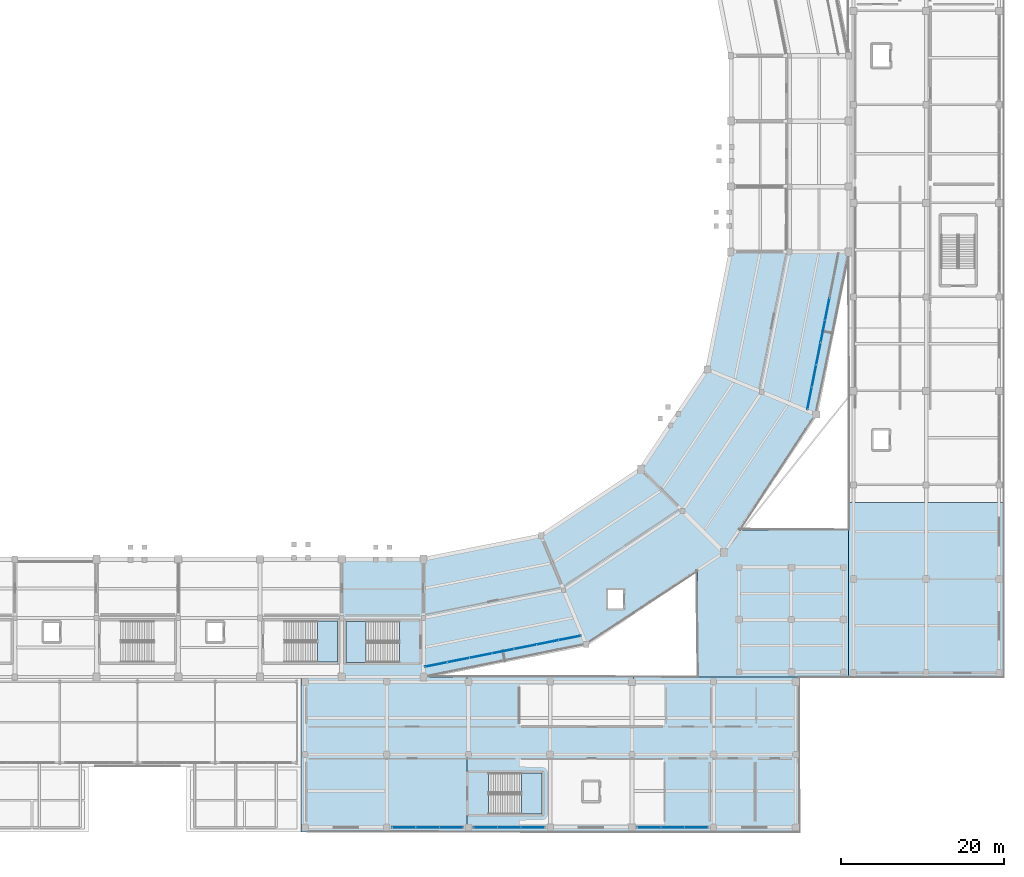
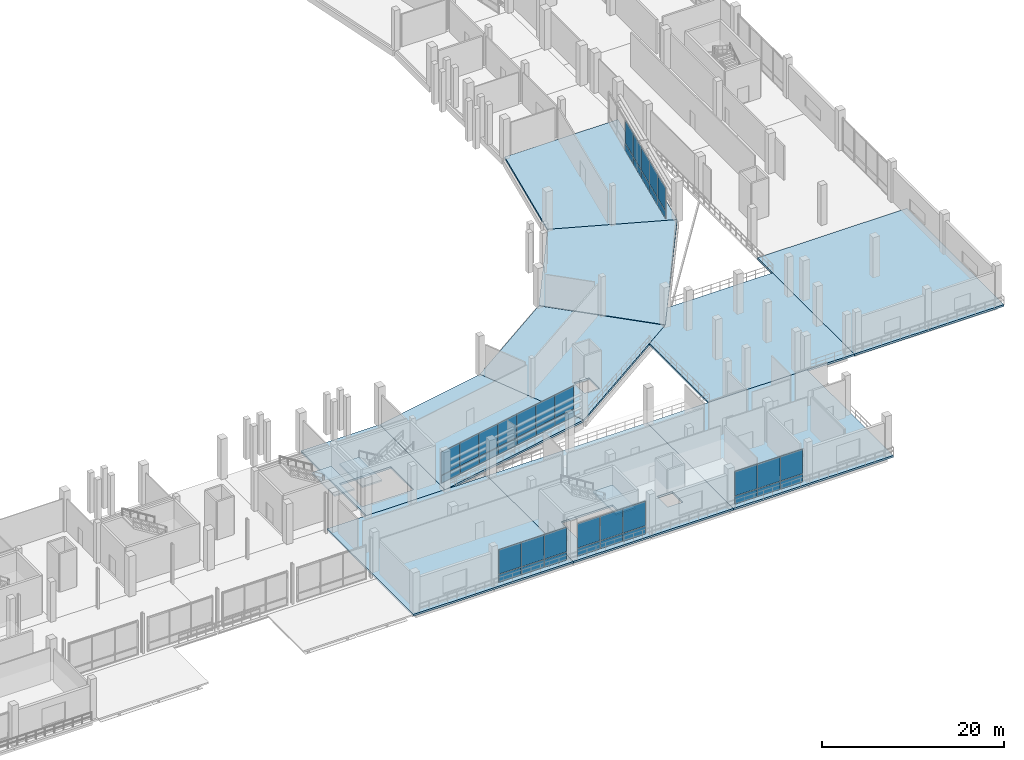
# One storey, part 65 of 114: 42 plates, 13 slabs, 8 elements without a shape of their own.
"""IFC4 building model written with IfcOpenShell, lengths in metres."""

from ifc_helpers import new_model, si_unit, direction, frame, origin, origin_2d, place, context, subcontext, project, spatial, polyline, rectangle, outline, extrude, material, layer, layer_set, type_object, element, aggregate, save


model = new_model("IFC4")

# Units and contexts
model_context = context("Model", 3, precision=1e-05, world=origin(), true_north=direction((0.0, 1.0)))
body_context = subcontext(model_context, "Body", "Model", "MODEL_VIEW")
ifc_project = project(units=[si_unit("LENGTHUNIT", "METRE"), si_unit("AREAUNIT", "SQUARE_METRE"), si_unit("VOLUMEUNIT", "CUBIC_METRE"), si_unit("PLANEANGLEUNIT", "RADIAN"), si_unit("MASSUNIT", "GRAM", prefix="KILO")], contexts=[model_context])

# Site, building, storey
site_placement = place(None, origin())
site = spatial("IfcSite", under=ifc_project, at=site_placement, CompositionType="ELEMENT")
building_placement = place(site_placement, origin())
building = spatial("IfcBuilding", under=site, at=building_placement, Name="Candeia Ridge Stadium", CompositionType="ELEMENT")
storey_placement = place(building_placement, frame((0.0, 0.0, 5.39990234375)))
storey = spatial("IfcBuildingStorey", under=building, at=storey_placement, Name="L01", CompositionType="ELEMENT", Elevation=5.39990234375)

# Slabs
ifc_material_1 = material(Name="Concrete C40/50", Category="concrete")
ifc_layer_1 = layer(ifc_material_1, 0.260009765625, Name="Concrete C40/50", Category="concrete")
ifc_layer_set_1 = layer_set([ifc_layer_1], Name="Concrete C40/50")
slab_type_1 = type_object("IfcSlabType", Name="Concourse Structural Slab 260", PredefinedType="FLOOR", material=ifc_layer_set_1)
slab_1_placement = place(storey_placement, frame((0.0, 0.0, -0.260009765625)))
element("IfcSlab", 1, at=slab_1_placement, inside=storey, type_object=slab_type_1, Name="Bowl concourse sector slab L01 bay 25 SLB-L01-0061", PredefinedType="FLOOR", context=body_context, shape_type="SweptSolid", body=[
    extrude(outline(polyline([(141.0, 33.39990234375), (141.0, 19.0), (131.0, 19.0), (131.0, 33.39990234375), (141.0, 33.39990234375)]), holes=[polyline([(138.04931640625, 25.800048828125), (131.5, 25.800048828125), (131.5, 20.75), (138.04931640625, 20.75), (138.04931640625, 25.800048828125)])]), origin(), (0.0, 0.0, 1.0), 0.260009765625),
])
slab_2_placement = place(storey_placement, frame((0.0, 0.0, -0.260009765625)))
element("IfcSlab", 2, at=slab_2_placement, inside=storey, type_object=slab_type_1, Name="Bowl concourse sector slab L01 bay 26 SLB-L01-0062", PredefinedType="FLOOR", context=body_context, shape_type="SweptSolid", body=[
    extrude(outline(polyline([(155.388916015625, 36.26220703125), (160.8994140625, 22.958251953125), (141.0, 19.0), (141.0, 33.39990234375), (155.388916015625, 36.26220703125)])), origin(), (0.0, 0.0, 1.0), 0.260009765625),
])
slab_3_placement = place(storey_placement, frame((0.0, 0.0, -0.260009765625)))
element("IfcSlab", 3, at=slab_3_placement, inside=storey, type_object=slab_type_1, Name="Bowl concourse sector slab L01 bay 27 SLB-L01-0063", PredefinedType="FLOOR", context=body_context, shape_type="SweptSolid", body=[
    extrude(outline(polyline([(167.553955078125, 44.390625), (177.736328125, 34.208251953125), (160.8994140625, 22.958251953125), (155.388916015625, 36.26220703125), (167.553955078125, 44.390625)]), holes=[polyline([(165.449951171875, 27.35009765625), (165.449951171875, 29.64990234375), (163.550048828125, 29.64990234375), (163.550048828125, 27.35009765625), (165.449951171875, 27.35009765625)])]), origin(), (0.0, 0.0, 1.0), 0.260009765625),
])
slab_4_placement = place(storey_placement, frame((0.0, 0.0, -0.260009765625)))
element("IfcSlab", 4, at=slab_4_placement, inside=storey, type_object=slab_type_1, Name="Bowl concourse sector slab L01 bay 28 SLB-L01-0064", PredefinedType="FLOOR", context=body_context, shape_type="SweptSolid", body=[
    extrude(outline(polyline([(175.73779296875, 56.611083984375), (189.041748046875, 51.1005859375), (177.791748046875, 34.263671875), (167.609375, 44.446044921875), (175.73779296875, 56.611083984375)])), origin(), (0.0, 0.0, 1.0), 0.260009765625),
])
slab_5_placement = place(storey_placement, frame((0.0, 0.0, -0.260009765625)))
element("IfcSlab", 5, at=slab_5_placement, inside=storey, type_object=slab_type_1, Name="Bowl concourse sector slab L01 bay 29 SLB-L01-0065", PredefinedType="FLOOR", context=body_context, shape_type="SweptSolid", body=[
    extrude(outline(polyline([(178.60009765625, 71.0), (193.0, 71.0), (189.041748046875, 51.1005859375), (175.73779296875, 56.611083984375), (178.60009765625, 71.0)])), origin(), (0.0, 0.0, 1.0), 0.260009765625),
])
slab_6_placement = place(storey_placement, frame((0.0, 0.0, -0.260009765625)))
element("IfcSlab", 6, at=slab_6_placement, inside=storey, type_object=slab_type_1, Name="Wing floor slab east SLB-L01-0218", PredefinedType="FLOOR", context=body_context, shape_type="SweptSolid", body=[
    extrude(outline(polyline([(193.0, 19.0), (193.0, 40.333251953125), (212.0, 40.333251953125), (212.0, 19.0), (193.0, 19.0)])), origin(), (0.0, 0.0, 1.0), 0.260009765625),
])

# Stair, slab
stair_type = type_object("IfcStairType", Name="Enclosed Core Half-Turn Stair 2450", PredefinedType="HALF_TURN_STAIR", material=ifc_material_1)
stair_1_placement = place(storey_placement, origin())
stair_1 = element("IfcStair", 7, at=stair_1_placement, inside=storey, type_object=stair_type, Name="L01 Enclosed exit stair ST03", PredefinedType="HALF_TURN_STAIR")
ifc_layer_2 = layer(ifc_material_1, 0.199951171875, Name="Concrete C40/50", Category="concrete")
ifc_layer_set_2 = layer_set([ifc_layer_2], Name="Concrete C40/50")
slab_type_2 = type_object("IfcSlabType", Name="Core Stair Landing Slab 200", PredefinedType="LANDING", material=ifc_layer_set_2)
slab_7_placement = place(storey_placement, frame((0.0, 0.0, 2.5)))
slab_7 = element("IfcSlab", 8, at=slab_7_placement, type_object=slab_type_2, Name="ST03 landing 1", PredefinedType="LANDING", context=body_context, shape_type="SweptSolid", body=[
    extrude(outline(polyline([(133.989990234375, 25.800048828125), (131.5, 25.800048828125), (131.5, 20.75), (133.989990234375, 20.75), (133.989990234375, 25.800048828125)])), origin(), (0.0, 0.0, 1.0), 0.2001953125),
])
aggregate(stair_1, [slab_7])

stair_2_placement = place(storey_placement, origin())
stair_2 = element("IfcStair", 9, at=stair_2_placement, inside=storey, type_object=stair_type, Name="L01 Enclosed exit stair ST12", PredefinedType="HALF_TURN_STAIR")
slab_8_placement = place(storey_placement, frame((0.0, 0.0, 2.5)))
slab_8 = element("IfcSlab", 10, at=slab_8_placement, type_object=slab_type_2, Name="ST12 landing 1", PredefinedType="LANDING", context=body_context, shape_type="SweptSolid", body=[
    extrude(outline(polyline([(128.010009765625, 20.800048828125), (130.5, 20.800048828125), (130.5, 25.85009765625), (128.010009765625, 25.85009765625), (128.010009765625, 20.800048828125)])), origin(), (0.0, 0.0, 1.0), 0.2001953125),
])
aggregate(stair_2, [slab_8])

stair_3_placement = place(storey_placement, origin())
stair_3 = element("IfcStair", 11, at=stair_3_placement, inside=storey, type_object=stair_type, Name="L01 Enclosed exit stair ST14", PredefinedType="HALF_TURN_STAIR")
slab_9_placement = place(storey_placement, frame((0.0, 0.0, 2.5)))
slab_9 = element("IfcSlab", 12, at=slab_9_placement, type_object=slab_type_2, Name="ST14 landing 1", PredefinedType="LANDING", context=body_context, shape_type="SweptSolid", body=[
    extrude(outline(polyline([(153.010009765625, 2.199951171875), (155.5, 2.199951171875), (155.5, 7.25), (153.010009765625, 7.25), (153.010009765625, 2.199951171875)])), origin(), (0.0, 0.0, 1.0), 0.2001953125),
])
aggregate(stair_3, [slab_9])

# Slabs
ifc_layer_3 = layer(ifc_material_1, 0.25, Name="Concrete C40/50", Category="concrete")
ifc_layer_set_3 = layer_set([ifc_layer_3], Name="Concrete C40/50")
slab_type_3 = type_object("IfcSlabType", Name="Hospitality & Museum Slab 250", PredefinedType="FLOOR", material=ifc_layer_set_3)
slab_10_placement = place(storey_placement, frame((0.0, 0.0, -0.25)))
element("IfcSlab", 13, at=slab_10_placement, inside=storey, type_object=slab_type_3, Name="Wing floor slab se_s SLB-L01-0227", PredefinedType="FLOOR", context=body_context, shape_type="SweptSolid", body=[
    extrude(outline(polyline([(126.0, 0.0), (126.0, 19.0), (146.333251953125, 19.0), (146.333251953125, 0.0), (126.0, 0.0)])), origin(), (0.0, 0.0, 1.0), 0.25),
])
slab_11_placement = place(storey_placement, frame((0.0, 0.0, -0.25)))
element("IfcSlab", 14, at=slab_11_placement, inside=storey, type_object=slab_type_3, Name="Wing floor slab se_s SLB-L01-0228", PredefinedType="FLOOR", context=body_context, shape_type="SweptSolid", body=[
    extrude(outline(polyline([(146.333251953125, 0.0), (146.333251953125, 19.0), (166.666748046875, 19.0), (166.666748046875, 0.0), (146.333251953125, 0.0)]), holes=[polyline([(148.95068359375, 2.199951171875), (155.5, 2.199951171875), (155.5, 7.25), (148.95068359375, 7.25), (148.95068359375, 2.199951171875)]), polyline([(162.449951171875, 3.85009765625), (162.449951171875, 6.14990234375), (160.550048828125, 6.14990234375), (160.550048828125, 3.85009765625), (162.449951171875, 3.85009765625)])]), origin(), (0.0, 0.0, 1.0), 0.25),
])
slab_12_placement = place(storey_placement, frame((0.0, 0.0, -0.25)))
element("IfcSlab", 15, at=slab_12_placement, inside=storey, type_object=slab_type_3, Name="Wing floor slab se_s SLB-L01-0229", PredefinedType="FLOOR", context=body_context, shape_type="SweptSolid", body=[
    extrude(outline(polyline([(166.666748046875, 0.0), (166.666748046875, 19.0), (187.0, 19.0), (187.0, 0.0), (166.666748046875, 0.0)])), origin(), (0.0, 0.0, 1.0), 0.25),
])
slab_13_placement = place(storey_placement, frame((0.0, 0.0, -0.25)))
element("IfcSlab", 16, at=slab_13_placement, inside=storey, type_object=slab_type_3, Name="Wing floor slab sp_se SLB-L01-0241", PredefinedType="FLOOR", context=body_context, shape_type="SweptSolid", body=[
    extrude(outline(polyline([(193.0, 19.0), (174.5, 19.0), (174.5, 32.039794921875), (177.772216796875, 34.226318359375), (177.772705078125, 34.2265625), (177.773193359375, 34.226806640625), (177.7734375, 34.227294921875), (177.773681640625, 34.227783203125), (179.626220703125, 37.0), (193.0, 37.0), (193.0, 19.0)])), origin(), (0.0, 0.0, 1.0), 0.25),
])

# Curtain wall, plates
ifc_material_2 = material(Name="Aluminium Anodized Warm Bronze", Category="aluminium")
curtain_wall_type_1 = type_object("IfcCurtainWallType", Name="Concourse Recessed Unitised Curtain Wall", PredefinedType="NOTDEFINED", material=ifc_material_2)
curtain_wall_1_placement = place(storey_placement, origin())
curtain_wall_1 = element("IfcCurtainWall", 17, at=curtain_wall_1_placement, inside=storey, type_object=curtain_wall_type_1, Name="Unitised curtain wall CW-BWL-L01-28", PredefinedType="NOTDEFINED")
ifc_material_3 = material(Name="Aluminium Insulated Spandrel", Category="aluminium")
ifc_layer_4 = layer(ifc_material_3, 0.06494140625, Name="Aluminium Insulated Spandrel", Category="aluminium")
ifc_layer_set_4 = layer_set([ifc_layer_4], Name="Aluminium Insulated Spandrel")
plate_type_1 = type_object("IfcPlateType", Name="Insulated Bronze Spandrel Panel SP2", PredefinedType="CURTAIN_PANEL", material=ifc_layer_set_4)
plate_1_placement = place(storey_placement, frame((188.239501953125, 53.099609375, 0.0400390625), z_axis=(0.0, 0.0, 1.0), x_axis=(0.195090320544, 0.980785280696, 0.0)))
plate_1 = element("IfcPlate", 18, at=plate_1_placement, type_object=plate_type_1, Name="Curtain wall spandrel panel CW-BWL-L01-28-SP0", PredefinedType="CURTAIN_PANEL", context=body_context, shape_type="SweptSolid", body=[
    extrude(rectangle(XDim=2.710205078125, YDim=0.06494140625, at=origin_2d()), origin(), (0.0, 0.0, 1.0), 0.981201171875),
])
plate_2_placement = place(storey_placement, frame((188.78173828125, 55.826416015625, 0.0400390625), z_axis=(0.0, 0.0, 1.0), x_axis=(0.195090320544, 0.980785280696, 0.0)))
plate_2 = element("IfcPlate", 19, at=plate_2_placement, type_object=plate_type_1, Name="Curtain wall spandrel panel CW-BWL-L01-28-SP1", PredefinedType="CURTAIN_PANEL", context=body_context, shape_type="SweptSolid", body=[
    extrude(rectangle(XDim=2.710205078125, YDim=0.06494140625, at=origin_2d()), origin(), (0.0, 0.0, 1.0), 0.981201171875),
])
plate_3_placement = place(storey_placement, frame((189.32421875, 58.552978515625, 0.0400390625), z_axis=(0.0, 0.0, 1.0), x_axis=(0.195090320544, 0.980785280696, 0.0)))
plate_3 = element("IfcPlate", 20, at=plate_3_placement, type_object=plate_type_1, Name="Curtain wall spandrel panel CW-BWL-L01-28-SP2", PredefinedType="CURTAIN_PANEL", context=body_context, shape_type="SweptSolid", body=[
    extrude(rectangle(XDim=2.710205078125, YDim=0.06494140625, at=origin_2d()), origin(), (0.0, 0.0, 1.0), 0.981201171875),
])
plate_4_placement = place(storey_placement, frame((189.86669921875, 61.27978515625, 0.0400390625), z_axis=(0.0, 0.0, 1.0), x_axis=(0.195090320544, 0.980785280696, 0.0)))
plate_4 = element("IfcPlate", 21, at=plate_4_placement, type_object=plate_type_1, Name="Curtain wall spandrel panel CW-BWL-L01-28-SP3", PredefinedType="CURTAIN_PANEL", context=body_context, shape_type="SweptSolid", body=[
    extrude(rectangle(XDim=2.710205078125, YDim=0.06494140625, at=origin_2d()), origin(), (0.0, 0.0, 1.0), 0.981201171875),
])
plate_5_placement = place(storey_placement, frame((190.408935546875, 64.006591796875, 0.0400390625), z_axis=(0.0, 0.0, 1.0), x_axis=(0.195090320544, 0.980785280696, 0.0)))
plate_5 = element("IfcPlate", 22, at=plate_5_placement, type_object=plate_type_1, Name="Curtain wall spandrel panel CW-BWL-L01-28-SP4", PredefinedType="CURTAIN_PANEL", context=body_context, shape_type="SweptSolid", body=[
    extrude(rectangle(XDim=2.710205078125, YDim=0.06494140625, at=origin_2d()), origin(), (0.0, 0.0, 1.0), 0.981201171875),
])

curtain_wall_2_placement = place(storey_placement, origin())
curtain_wall_2 = element("IfcCurtainWall", 23, at=curtain_wall_2_placement, inside=storey, type_object=curtain_wall_type_1, Name="Unitised curtain wall CW-BWL-L01-25", PredefinedType="NOTDEFINED")
ifc_layer_5 = layer(ifc_material_3, 0.06494140625, Name="Aluminium Insulated Spandrel", Category="aluminium")
ifc_layer_set_5 = layer_set([ifc_layer_5], Name="Aluminium Insulated Spandrel")
plate_type_2 = type_object("IfcPlateType", Name="Insulated Bronze Spandrel Panel SP4", PredefinedType="CURTAIN_PANEL", material=ifc_layer_set_5)
plate_6_placement = place(storey_placement, frame((142.539794921875, 20.50634765625, 0.0400390625), z_axis=(0.0, 0.0, 1.0), x_axis=(0.980785280696, 0.195090320544, 0.0)))
plate_6 = element("IfcPlate", 24, at=plate_6_placement, type_object=plate_type_2, Name="Curtain wall spandrel panel CW-BWL-L01-25-SP0", PredefinedType="CURTAIN_PANEL", context=body_context, shape_type="SweptSolid", body=[
    extrude(rectangle(XDim=2.710205078125, YDim=0.06494140625, at=origin_2d()), origin(), (0.0, 0.0, 1.0), 0.981201171875),
])
plate_7_placement = place(storey_placement, frame((145.2666015625, 21.048583984375, 0.0400390625), z_axis=(0.0, 0.0, 1.0), x_axis=(0.980785280696, 0.195090320544, 0.0)))
plate_7 = element("IfcPlate", 25, at=plate_7_placement, type_object=plate_type_2, Name="Curtain wall spandrel panel CW-BWL-L01-25-SP1", PredefinedType="CURTAIN_PANEL", context=body_context, shape_type="SweptSolid", body=[
    extrude(rectangle(XDim=2.710205078125, YDim=0.06494140625, at=origin_2d()), origin(), (0.0, 0.0, 1.0), 0.981201171875),
])
plate_8_placement = place(storey_placement, frame((147.993408203125, 21.591064453125, 0.0400390625), z_axis=(0.0, 0.0, 1.0), x_axis=(0.980785280696, 0.195090320544, 0.0)))
plate_8 = element("IfcPlate", 26, at=plate_8_placement, type_object=plate_type_2, Name="Curtain wall spandrel panel CW-BWL-L01-25-SP2", PredefinedType="CURTAIN_PANEL", context=body_context, shape_type="SweptSolid", body=[
    extrude(rectangle(XDim=2.710205078125, YDim=0.06494140625, at=origin_2d()), origin(), (0.0, 0.0, 1.0), 0.981201171875),
])
plate_9_placement = place(storey_placement, frame((150.72021484375, 22.13330078125, 0.0400390625), z_axis=(0.0, 0.0, 1.0), x_axis=(0.980785280696, 0.195090320544, 0.0)))
plate_9 = element("IfcPlate", 27, at=plate_9_placement, type_object=plate_type_2, Name="Curtain wall spandrel panel CW-BWL-L01-25-SP3", PredefinedType="CURTAIN_PANEL", context=body_context, shape_type="SweptSolid", body=[
    extrude(rectangle(XDim=2.710205078125, YDim=0.06494140625, at=origin_2d()), origin(), (0.0, 0.0, 1.0), 0.981201171875),
])
plate_10_placement = place(storey_placement, frame((153.447021484375, 22.67578125, 0.0400390625), z_axis=(0.0, 0.0, 1.0), x_axis=(0.980785280696, 0.195090320544, 0.0)))
plate_10 = element("IfcPlate", 28, at=plate_10_placement, type_object=plate_type_2, Name="Curtain wall spandrel panel CW-BWL-L01-25-SP4", PredefinedType="CURTAIN_PANEL", context=body_context, shape_type="SweptSolid", body=[
    extrude(rectangle(XDim=2.710205078125, YDim=0.06494140625, at=origin_2d()), origin(), (0.0, 0.0, 1.0), 0.981201171875),
])
plate_11_placement = place(storey_placement, frame((156.173583984375, 23.21826171875, 0.0400390625), z_axis=(0.0, 0.0, 1.0), x_axis=(0.980785280696, 0.195090320544, 0.0)))
plate_11 = element("IfcPlate", 29, at=plate_11_placement, type_object=plate_type_2, Name="Curtain wall spandrel panel CW-BWL-L01-25-SP5", PredefinedType="CURTAIN_PANEL", context=body_context, shape_type="SweptSolid", body=[
    extrude(rectangle(XDim=2.710205078125, YDim=0.06494140625, at=origin_2d()), origin(), (0.0, 0.0, 1.0), 0.981201171875),
])
plate_12_placement = place(storey_placement, frame((158.900390625, 23.760498046875, 0.0400390625), z_axis=(0.0, 0.0, 1.0), x_axis=(0.980785280696, 0.195090320544, 0.0)))
plate_12 = element("IfcPlate", 30, at=plate_12_placement, type_object=plate_type_2, Name="Curtain wall spandrel panel CW-BWL-L01-25-SP6", PredefinedType="CURTAIN_PANEL", context=body_context, shape_type="SweptSolid", body=[
    extrude(rectangle(XDim=2.710205078125, YDim=0.06494140625, at=origin_2d()), origin(), (0.0, 0.0, 1.0), 0.981201171875),
])

curtain_wall_type_2 = type_object("IfcCurtainWallType", Name="Museum & Boulevard Showcase Curtain Wall", PredefinedType="NOTDEFINED", material=ifc_material_2)
curtain_wall_3_placement = place(storey_placement, origin())
curtain_wall_3 = element("IfcCurtainWall", 31, at=curtain_wall_3_placement, inside=storey, type_object=curtain_wall_type_2, Name="Unitised curtain wall CW-WNG-L01-114", PredefinedType="NOTDEFINED")
ifc_layer_6 = layer(ifc_material_3, 0.06494140625, Name="Aluminium Insulated Spandrel", Category="aluminium")
ifc_layer_set_6 = layer_set([ifc_layer_6], Name="Aluminium Insulated Spandrel")
plate_type_3 = type_object("IfcPlateType", Name="Insulated Cedar-Tone Spandrel Panel SP3", PredefinedType="CURTAIN_PANEL", material=ifc_layer_set_6)
plate_13_placement = place(storey_placement, frame((138.606689453125, 0.60009765625, 0.0400390625), z_axis=(0.0, 0.0, 1.0), x_axis=(1.0, 0.0, 0.0)))
plate_13 = element("IfcPlate", 32, at=plate_13_placement, type_object=plate_type_3, Name="Curtain wall spandrel panel CW-WNG-L01-114-SP0", PredefinedType="CURTAIN_PANEL", context=body_context, shape_type="SweptSolid", body=[
    extrude(rectangle(XDim=2.8232421875, YDim=0.06494140625, at=origin_2d()), origin(), (0.0, 0.0, 1.0), 1.02001953125),
])
plate_14_placement = place(storey_placement, frame((141.5, 0.60009765625, 0.0400390625), z_axis=(0.0, 0.0, 1.0), x_axis=(1.0, 0.0, 0.0)))
plate_14 = element("IfcPlate", 33, at=plate_14_placement, type_object=plate_type_3, Name="Curtain wall spandrel panel CW-WNG-L01-114-SP1", PredefinedType="CURTAIN_PANEL", context=body_context, shape_type="SweptSolid", body=[
    extrude(rectangle(XDim=2.8232421875, YDim=0.06494140625, at=origin_2d()), origin(), (0.0, 0.0, 1.0), 1.02001953125),
])
plate_15_placement = place(storey_placement, frame((144.393310546875, 0.60009765625, 0.0400390625), z_axis=(0.0, 0.0, 1.0), x_axis=(1.0, 0.0, 0.0)))
plate_15 = element("IfcPlate", 34, at=plate_15_placement, type_object=plate_type_3, Name="Curtain wall spandrel panel CW-WNG-L01-114-SP2", PredefinedType="CURTAIN_PANEL", context=body_context, shape_type="SweptSolid", body=[
    extrude(rectangle(XDim=2.8232421875, YDim=0.06494140625, at=origin_2d()), origin(), (0.0, 0.0, 1.0), 1.02001953125),
])

curtain_wall_4_placement = place(storey_placement, origin())
curtain_wall_4 = element("IfcCurtainWall", 35, at=curtain_wall_4_placement, inside=storey, type_object=curtain_wall_type_2, Name="Unitised curtain wall CW-WNG-L01-115", PredefinedType="NOTDEFINED")
plate_16_placement = place(storey_placement, frame((148.606689453125, 0.60009765625, 0.0400390625), z_axis=(0.0, 0.0, 1.0), x_axis=(1.0, 0.0, 0.0)))
plate_16 = element("IfcPlate", 36, at=plate_16_placement, type_object=plate_type_3, Name="Curtain wall spandrel panel CW-WNG-L01-115-SP0", PredefinedType="CURTAIN_PANEL", context=body_context, shape_type="SweptSolid", body=[
    extrude(rectangle(XDim=2.8232421875, YDim=0.06494140625, at=origin_2d()), origin(), (0.0, 0.0, 1.0), 1.02001953125),
])
plate_17_placement = place(storey_placement, frame((151.5, 0.60009765625, 0.0400390625), z_axis=(0.0, 0.0, 1.0), x_axis=(1.0, 0.0, 0.0)))
plate_17 = element("IfcPlate", 37, at=plate_17_placement, type_object=plate_type_3, Name="Curtain wall spandrel panel CW-WNG-L01-115-SP1", PredefinedType="CURTAIN_PANEL", context=body_context, shape_type="SweptSolid", body=[
    extrude(rectangle(XDim=2.8232421875, YDim=0.06494140625, at=origin_2d()), origin(), (0.0, 0.0, 1.0), 1.02001953125),
])
plate_18_placement = place(storey_placement, frame((154.393310546875, 0.60009765625, 0.0400390625), z_axis=(0.0, 0.0, 1.0), x_axis=(1.0, 0.0, 0.0)))
plate_18 = element("IfcPlate", 38, at=plate_18_placement, type_object=plate_type_3, Name="Curtain wall spandrel panel CW-WNG-L01-115-SP2", PredefinedType="CURTAIN_PANEL", context=body_context, shape_type="SweptSolid", body=[
    extrude(rectangle(XDim=2.8232421875, YDim=0.06494140625, at=origin_2d()), origin(), (0.0, 0.0, 1.0), 1.02001953125),
])

curtain_wall_5_placement = place(storey_placement, origin())
curtain_wall_5 = element("IfcCurtainWall", 39, at=curtain_wall_5_placement, inside=storey, type_object=curtain_wall_type_2, Name="Unitised curtain wall CW-WNG-L01-116", PredefinedType="NOTDEFINED")
plate_19_placement = place(storey_placement, frame((168.606689453125, 0.60009765625, 0.0400390625), z_axis=(0.0, 0.0, 1.0), x_axis=(1.0, 0.0, 0.0)))
plate_19 = element("IfcPlate", 40, at=plate_19_placement, type_object=plate_type_3, Name="Curtain wall spandrel panel CW-WNG-L01-116-SP0", PredefinedType="CURTAIN_PANEL", context=body_context, shape_type="SweptSolid", body=[
    extrude(rectangle(XDim=2.8232421875, YDim=0.06494140625, at=origin_2d()), origin(), (0.0, 0.0, 1.0), 1.02001953125),
])
plate_20_placement = place(storey_placement, frame((171.5, 0.60009765625, 0.0400390625), z_axis=(0.0, 0.0, 1.0), x_axis=(1.0, 0.0, 0.0)))
plate_20 = element("IfcPlate", 41, at=plate_20_placement, type_object=plate_type_3, Name="Curtain wall spandrel panel CW-WNG-L01-116-SP1", PredefinedType="CURTAIN_PANEL", context=body_context, shape_type="SweptSolid", body=[
    extrude(rectangle(XDim=2.8232421875, YDim=0.06494140625, at=origin_2d()), origin(), (0.0, 0.0, 1.0), 1.02001953125),
])
plate_21_placement = place(storey_placement, frame((174.393310546875, 0.60009765625, 0.0400390625), z_axis=(0.0, 0.0, 1.0), x_axis=(1.0, 0.0, 0.0)))
plate_21 = element("IfcPlate", 42, at=plate_21_placement, type_object=plate_type_3, Name="Curtain wall spandrel panel CW-WNG-L01-116-SP2", PredefinedType="CURTAIN_PANEL", context=body_context, shape_type="SweptSolid", body=[
    extrude(rectangle(XDim=2.8232421875, YDim=0.06494140625, at=origin_2d()), origin(), (0.0, 0.0, 1.0), 1.02001953125),
])

# Plate
ifc_material_4 = material(Name="Tempered Low-E Double Glazing", Category="glass")
ifc_layer_7 = layer(ifc_material_4, 0.035888671875, Name="Tempered Low-E Double Glazing", Category="glass")
ifc_layer_set_7 = layer_set([ifc_layer_7], Name="Tempered Low-E Double Glazing")
plate_type_4 = type_object("IfcPlateType", Name="Pavilion Panorama Glass Panel GP4", PredefinedType="CURTAIN_PANEL", material=ifc_layer_set_7)
plate_22_placement = place(storey_placement, frame((138.606689453125, 0.60009765625, 1.14013671875), z_axis=(0.0, 0.0, 1.0), x_axis=(1.0, 0.0, 0.0)))
plate_22 = element("IfcPlate", 43, at=plate_22_placement, type_object=plate_type_4, Name="Curtain wall vision glass panel CW-WNG-L01-114-GP0", PredefinedType="CURTAIN_PANEL", context=body_context, shape_type="SweptSolid", body=[
    extrude(rectangle(XDim=2.8232421875, YDim=0.035888671875, at=origin_2d()), origin(), (0.0, 0.0, 1.0), 3.294921875),
])

plate_23_placement = place(storey_placement, frame((141.5, 0.60009765625, 1.14013671875), z_axis=(0.0, 0.0, 1.0), x_axis=(1.0, 0.0, 0.0)))
plate_23 = element("IfcPlate", 44, at=plate_23_placement, type_object=plate_type_4, Name="Curtain wall vision glass panel CW-WNG-L01-114-GP1", PredefinedType="CURTAIN_PANEL", context=body_context, shape_type="SweptSolid", body=[
    extrude(rectangle(XDim=2.8232421875, YDim=0.035888671875, at=origin_2d()), origin(), (0.0, 0.0, 1.0), 3.294921875),
])

plate_24_placement = place(storey_placement, frame((144.393310546875, 0.60009765625, 1.14013671875), z_axis=(0.0, 0.0, 1.0), x_axis=(1.0, 0.0, 0.0)))
plate_24 = element("IfcPlate", 45, at=plate_24_placement, type_object=plate_type_4, Name="Curtain wall vision glass panel CW-WNG-L01-114-GP2", PredefinedType="CURTAIN_PANEL", context=body_context, shape_type="SweptSolid", body=[
    extrude(rectangle(XDim=2.8232421875, YDim=0.035888671875, at=origin_2d()), origin(), (0.0, 0.0, 1.0), 3.294921875),
])

aggregate(curtain_wall_3, [plate_13, plate_22, plate_14, plate_23, plate_15, plate_24])

plate_25_placement = place(storey_placement, frame((148.606689453125, 0.60009765625, 1.14013671875), z_axis=(0.0, 0.0, 1.0), x_axis=(1.0, 0.0, 0.0)))
plate_25 = element("IfcPlate", 46, at=plate_25_placement, type_object=plate_type_4, Name="Curtain wall vision glass panel CW-WNG-L01-115-GP0", PredefinedType="CURTAIN_PANEL", context=body_context, shape_type="SweptSolid", body=[
    extrude(rectangle(XDim=2.8232421875, YDim=0.035888671875, at=origin_2d()), origin(), (0.0, 0.0, 1.0), 3.294921875),
])

plate_26_placement = place(storey_placement, frame((151.5, 0.60009765625, 1.14013671875), z_axis=(0.0, 0.0, 1.0), x_axis=(1.0, 0.0, 0.0)))
plate_26 = element("IfcPlate", 47, at=plate_26_placement, type_object=plate_type_4, Name="Curtain wall vision glass panel CW-WNG-L01-115-GP1", PredefinedType="CURTAIN_PANEL", context=body_context, shape_type="SweptSolid", body=[
    extrude(rectangle(XDim=2.8232421875, YDim=0.035888671875, at=origin_2d()), origin(), (0.0, 0.0, 1.0), 3.294921875),
])

plate_27_placement = place(storey_placement, frame((154.393310546875, 0.60009765625, 1.14013671875), z_axis=(0.0, 0.0, 1.0), x_axis=(1.0, 0.0, 0.0)))
plate_27 = element("IfcPlate", 48, at=plate_27_placement, type_object=plate_type_4, Name="Curtain wall vision glass panel CW-WNG-L01-115-GP2", PredefinedType="CURTAIN_PANEL", context=body_context, shape_type="SweptSolid", body=[
    extrude(rectangle(XDim=2.8232421875, YDim=0.035888671875, at=origin_2d()), origin(), (0.0, 0.0, 1.0), 3.294921875),
])

aggregate(curtain_wall_4, [plate_16, plate_25, plate_17, plate_26, plate_18, plate_27])

plate_28_placement = place(storey_placement, frame((168.606689453125, 0.60009765625, 1.14013671875), z_axis=(0.0, 0.0, 1.0), x_axis=(1.0, 0.0, 0.0)))
plate_28 = element("IfcPlate", 49, at=plate_28_placement, type_object=plate_type_4, Name="Curtain wall vision glass panel CW-WNG-L01-116-GP0", PredefinedType="CURTAIN_PANEL", context=body_context, shape_type="SweptSolid", body=[
    extrude(rectangle(XDim=2.8232421875, YDim=0.035888671875, at=origin_2d()), origin(), (0.0, 0.0, 1.0), 3.294921875),
])

plate_29_placement = place(storey_placement, frame((171.5, 0.60009765625, 1.14013671875), z_axis=(0.0, 0.0, 1.0), x_axis=(1.0, 0.0, 0.0)))
plate_29 = element("IfcPlate", 50, at=plate_29_placement, type_object=plate_type_4, Name="Curtain wall vision glass panel CW-WNG-L01-116-GP1", PredefinedType="CURTAIN_PANEL", context=body_context, shape_type="SweptSolid", body=[
    extrude(rectangle(XDim=2.8232421875, YDim=0.035888671875, at=origin_2d()), origin(), (0.0, 0.0, 1.0), 3.294921875),
])

plate_30_placement = place(storey_placement, frame((174.393310546875, 0.60009765625, 1.14013671875), z_axis=(0.0, 0.0, 1.0), x_axis=(1.0, 0.0, 0.0)))
plate_30 = element("IfcPlate", 51, at=plate_30_placement, type_object=plate_type_4, Name="Curtain wall vision glass panel CW-WNG-L01-116-GP2", PredefinedType="CURTAIN_PANEL", context=body_context, shape_type="SweptSolid", body=[
    extrude(rectangle(XDim=2.8232421875, YDim=0.035888671875, at=origin_2d()), origin(), (0.0, 0.0, 1.0), 3.294921875),
])

aggregate(curtain_wall_5, [plate_19, plate_28, plate_20, plate_29, plate_21, plate_30])

ifc_layer_8 = layer(ifc_material_4, 0.035888671875, Name="Tempered Low-E Double Glazing", Category="glass")
ifc_layer_set_8 = layer_set([ifc_layer_8], Name="Tempered Low-E Double Glazing")
plate_type_5 = type_object("IfcPlateType", Name="Solar Control Vision Glass Panel GP5", PredefinedType="CURTAIN_PANEL", material=ifc_layer_set_8)
plate_31_placement = place(storey_placement, frame((142.539794921875, 20.50634765625, 1.10107421875), z_axis=(0.0, 0.0, 1.0), x_axis=(0.980785280696, 0.195090320544, 0.0)))
plate_31 = element("IfcPlate", 52, at=plate_31_placement, type_object=plate_type_5, Name="Curtain wall vision glass panel CW-BWL-L01-25-GP0", PredefinedType="CURTAIN_PANEL", context=body_context, shape_type="SweptSolid", body=[
    extrude(rectangle(XDim=2.710205078125, YDim=0.035888671875, at=origin_2d()), origin(), (0.0, 0.0, 1.0), 3.103759765625),
])

plate_32_placement = place(storey_placement, frame((145.2666015625, 21.048583984375, 1.10107421875), z_axis=(0.0, 0.0, 1.0), x_axis=(0.980785280696, 0.195090320544, 0.0)))
plate_32 = element("IfcPlate", 53, at=plate_32_placement, type_object=plate_type_5, Name="Curtain wall vision glass panel CW-BWL-L01-25-GP1", PredefinedType="CURTAIN_PANEL", context=body_context, shape_type="SweptSolid", body=[
    extrude(rectangle(XDim=2.710205078125, YDim=0.035888671875, at=origin_2d()), origin(), (0.0, 0.0, 1.0), 3.103759765625),
])

plate_33_placement = place(storey_placement, frame((147.993408203125, 21.591064453125, 1.10107421875), z_axis=(0.0, 0.0, 1.0), x_axis=(0.980785280696, 0.195090320544, 0.0)))
plate_33 = element("IfcPlate", 54, at=plate_33_placement, type_object=plate_type_5, Name="Curtain wall vision glass panel CW-BWL-L01-25-GP2", PredefinedType="CURTAIN_PANEL", context=body_context, shape_type="SweptSolid", body=[
    extrude(rectangle(XDim=2.710205078125, YDim=0.035888671875, at=origin_2d()), origin(), (0.0, 0.0, 1.0), 3.103759765625),
])

plate_34_placement = place(storey_placement, frame((150.72021484375, 22.13330078125, 1.10107421875), z_axis=(0.0, 0.0, 1.0), x_axis=(0.980785280696, 0.195090320544, 0.0)))
plate_34 = element("IfcPlate", 55, at=plate_34_placement, type_object=plate_type_5, Name="Curtain wall vision glass panel CW-BWL-L01-25-GP3", PredefinedType="CURTAIN_PANEL", context=body_context, shape_type="SweptSolid", body=[
    extrude(rectangle(XDim=2.710205078125, YDim=0.035888671875, at=origin_2d()), origin(), (0.0, 0.0, 1.0), 3.103759765625),
])

plate_35_placement = place(storey_placement, frame((153.447021484375, 22.67578125, 1.10107421875), z_axis=(0.0, 0.0, 1.0), x_axis=(0.980785280696, 0.195090320544, 0.0)))
plate_35 = element("IfcPlate", 56, at=plate_35_placement, type_object=plate_type_5, Name="Curtain wall vision glass panel CW-BWL-L01-25-GP4", PredefinedType="CURTAIN_PANEL", context=body_context, shape_type="SweptSolid", body=[
    extrude(rectangle(XDim=2.710205078125, YDim=0.035888671875, at=origin_2d()), origin(), (0.0, 0.0, 1.0), 3.103759765625),
])

plate_36_placement = place(storey_placement, frame((156.173583984375, 23.21826171875, 1.10107421875), z_axis=(0.0, 0.0, 1.0), x_axis=(0.980785280696, 0.195090320544, 0.0)))
plate_36 = element("IfcPlate", 57, at=plate_36_placement, type_object=plate_type_5, Name="Curtain wall vision glass panel CW-BWL-L01-25-GP5", PredefinedType="CURTAIN_PANEL", context=body_context, shape_type="SweptSolid", body=[
    extrude(rectangle(XDim=2.710205078125, YDim=0.035888671875, at=origin_2d()), origin(), (0.0, 0.0, 1.0), 3.103759765625),
])

plate_37_placement = place(storey_placement, frame((158.900390625, 23.760498046875, 1.10107421875), z_axis=(0.0, 0.0, 1.0), x_axis=(0.980785280696, 0.195090320544, 0.0)))
plate_37 = element("IfcPlate", 58, at=plate_37_placement, type_object=plate_type_5, Name="Curtain wall vision glass panel CW-BWL-L01-25-GP6", PredefinedType="CURTAIN_PANEL", context=body_context, shape_type="SweptSolid", body=[
    extrude(rectangle(XDim=2.710205078125, YDim=0.035888671875, at=origin_2d()), origin(), (0.0, 0.0, 1.0), 3.103759765625),
])

aggregate(curtain_wall_2, [plate_6, plate_31, plate_7, plate_32, plate_8, plate_33, plate_9, plate_34, plate_10, plate_35, plate_11, plate_36, plate_12, plate_37])

ifc_layer_9 = layer(ifc_material_4, 0.035888671875, Name="Tempered Low-E Double Glazing", Category="glass")
ifc_layer_set_9 = layer_set([ifc_layer_9], Name="Tempered Low-E Double Glazing")
plate_type_6 = type_object("IfcPlateType", Name="Solar Control Vision Glass Panel GP8", PredefinedType="CURTAIN_PANEL", material=ifc_layer_set_9)
plate_38_placement = place(storey_placement, frame((188.239501953125, 53.099609375, 1.10107421875), z_axis=(0.0, 0.0, 1.0), x_axis=(0.195090320544, 0.980785280696, 0.0)))
plate_38 = element("IfcPlate", 59, at=plate_38_placement, type_object=plate_type_6, Name="Curtain wall vision glass panel CW-BWL-L01-28-GP0", PredefinedType="CURTAIN_PANEL", context=body_context, shape_type="SweptSolid", body=[
    extrude(rectangle(XDim=2.710205078125, YDim=0.035888671875, at=origin_2d()), origin(), (0.0, 0.0, 1.0), 3.103759765625),
])

plate_39_placement = place(storey_placement, frame((188.78173828125, 55.826416015625, 1.10107421875), z_axis=(0.0, 0.0, 1.0), x_axis=(0.195090320544, 0.980785280696, 0.0)))
plate_39 = element("IfcPlate", 60, at=plate_39_placement, type_object=plate_type_6, Name="Curtain wall vision glass panel CW-BWL-L01-28-GP1", PredefinedType="CURTAIN_PANEL", context=body_context, shape_type="SweptSolid", body=[
    extrude(rectangle(XDim=2.710205078125, YDim=0.035888671875, at=origin_2d()), origin(), (0.0, 0.0, 1.0), 3.103759765625),
])

plate_40_placement = place(storey_placement, frame((189.32421875, 58.552978515625, 1.10107421875), z_axis=(0.0, 0.0, 1.0), x_axis=(0.195090320544, 0.980785280696, 0.0)))
plate_40 = element("IfcPlate", 61, at=plate_40_placement, type_object=plate_type_6, Name="Curtain wall vision glass panel CW-BWL-L01-28-GP2", PredefinedType="CURTAIN_PANEL", context=body_context, shape_type="SweptSolid", body=[
    extrude(rectangle(XDim=2.710205078125, YDim=0.035888671875, at=origin_2d()), origin(), (0.0, 0.0, 1.0), 3.103759765625),
])

plate_41_placement = place(storey_placement, frame((189.86669921875, 61.27978515625, 1.10107421875), z_axis=(0.0, 0.0, 1.0), x_axis=(0.195090320544, 0.980785280696, 0.0)))
plate_41 = element("IfcPlate", 62, at=plate_41_placement, type_object=plate_type_6, Name="Curtain wall vision glass panel CW-BWL-L01-28-GP3", PredefinedType="CURTAIN_PANEL", context=body_context, shape_type="SweptSolid", body=[
    extrude(rectangle(XDim=2.710205078125, YDim=0.035888671875, at=origin_2d()), origin(), (0.0, 0.0, 1.0), 3.103759765625),
])

plate_42_placement = place(storey_placement, frame((190.408935546875, 64.006591796875, 1.10107421875), z_axis=(0.0, 0.0, 1.0), x_axis=(0.195090320544, 0.980785280696, 0.0)))
plate_42 = element("IfcPlate", 63, at=plate_42_placement, type_object=plate_type_6, Name="Curtain wall vision glass panel CW-BWL-L01-28-GP4", PredefinedType="CURTAIN_PANEL", context=body_context, shape_type="SweptSolid", body=[
    extrude(rectangle(XDim=2.710205078125, YDim=0.035888671875, at=origin_2d()), origin(), (0.0, 0.0, 1.0), 3.103759765625),
])

aggregate(curtain_wall_1, [plate_1, plate_38, plate_2, plate_39, plate_3, plate_40, plate_4, plate_41, plate_5, plate_42])

save(model, "model.ifc")
